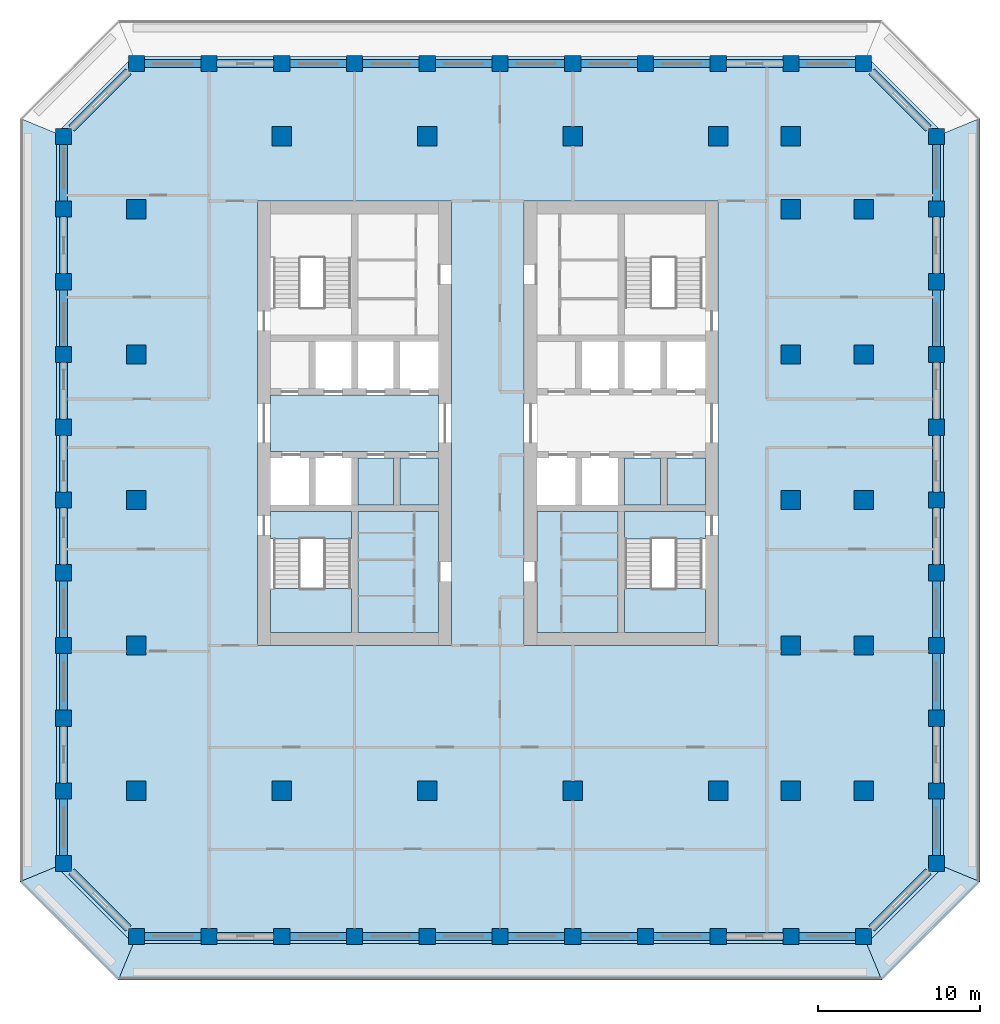
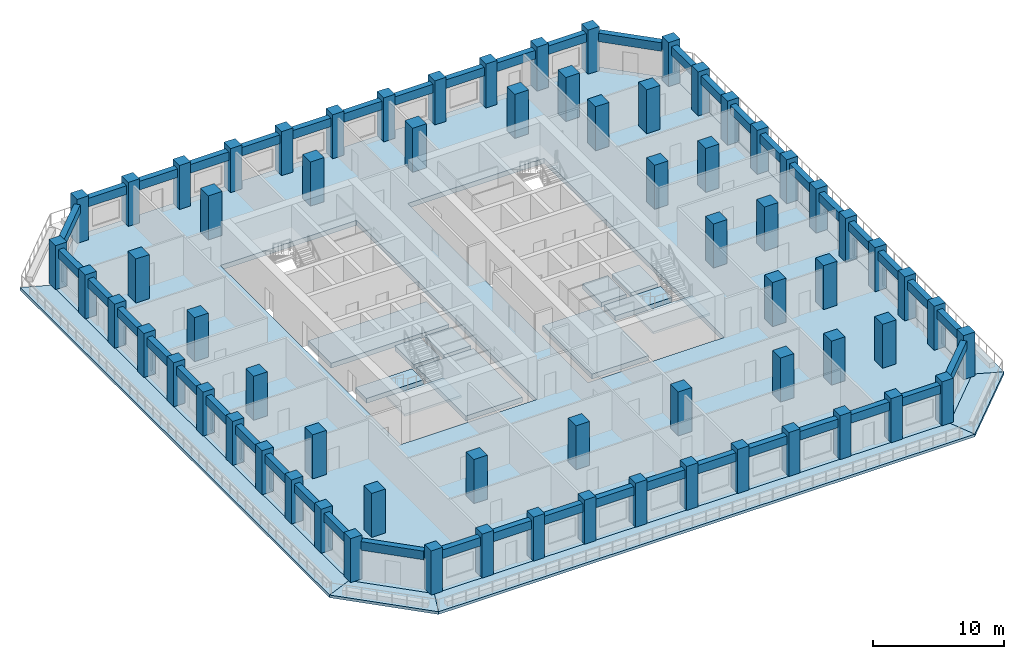
# One storey, part 1 of 16: 68 columns, 44 beams, 17 slabs, 2 elements without a shape of their own.
"""IFC4 building model written with IfcOpenShell, lengths in metres."""

from ifc_helpers import new_model, si_unit, direction, frame, origin, origin_2d, place, context, subcontext, project, spatial, polyline, rectangle, outline, extrude, material, layer, layer_set, material_profile, profile_set, type_object, element, aggregate, save


model = new_model("IFC4")

# Units and contexts
model_context = context("Model", 3, precision=1e-05, world=origin(), true_north=direction((0.0, 1.0)))
body_context = subcontext(model_context, "Body", "Model", "MODEL_VIEW")
ifc_project = project(units=[si_unit("LENGTHUNIT", "METRE"), si_unit("AREAUNIT", "SQUARE_METRE"), si_unit("VOLUMEUNIT", "CUBIC_METRE"), si_unit("PLANEANGLEUNIT", "RADIAN"), si_unit("MASSUNIT", "GRAM", prefix="KILO")], contexts=[model_context])

# Site, building, storey
site_placement = place(None, origin())
site = spatial("IfcSite", under=ifc_project, at=site_placement, CompositionType="ELEMENT")
building_placement = place(site_placement, origin())
building = spatial("IfcBuilding", under=site, at=building_placement, Name="Corbel Stack Research Tower", CompositionType="ELEMENT")
storey_placement = place(building_placement, frame((0.0, 0.0, 212.0)))
storey = spatial("IfcBuildingStorey", under=building, at=storey_placement, Name="L48", CompositionType="ELEMENT", Elevation=212.0)

# Columns
ifc_material_1 = material(Name="Concrete C60/75", Category="concrete")
ifc_material_profile_1 = material_profile(ifc_material_1, rectangle(XDim=1.0, YDim=1.0, at=origin_2d()), Name="RC 1000 x 1000")
ifc_profile_set_1 = profile_set([ifc_material_profile_1], Name="Concrete C60/75")
column_type_1 = type_object("IfcColumnType", Name="C-1000-60", PredefinedType="COLUMN", material=ifc_profile_set_1)
for number, where, z_axis, x_axis, name in (
    (1, (-22.5, -22.5, 0.0), (0.0, 0.0, 1.0), (1.0, 0.0, 0.0), "Column 3/C L48"),
    (2, (-22.5, -18.0, 0.0), (0.0, 0.0, 1.0), (1.0, 0.0, 0.0), "Column 3/D L48"),
    (3, (-22.5, -13.5, 0.0), (0.0, 0.0, 1.0), (1.0, 0.0, 0.0), "Column 3/E L48"),
    (4, (-22.5, -9.0, 0.0), (0.0, 0.0, 1.0), (1.0, 0.0, 0.0), "Column 3/F L48"),
    (5, (-22.5, -4.5, 0.0), (0.0, 0.0, 1.0), (1.0, 0.0, 0.0), "Column 3/G L48"),
    (6, (-22.5, 0.0, 0.0), (0.0, 0.0, 1.0), (1.0, 0.0, 0.0), "Column 3/H L48"),
    (7, (-22.5, 4.5, 0.0), (0.0, 0.0, 1.0), (1.0, 0.0, 0.0), "Column 3/J L48"),
    (8, (-22.5, 9.0, 0.0), (0.0, 0.0, 1.0), (1.0, 0.0, 0.0), "Column 3/K L48"),
    (9, (-22.5, 13.5, 0.0), (0.0, 0.0, 1.0), (1.0, 0.0, 0.0), "Column 3/L L48"),
    (10, (-22.5, 18.0, 0.0), (0.0, 0.0, 1.0), (1.0, 0.0, 0.0), "Column 3/M L48"),
    (11, (-22.5, 22.5, 0.0), (0.0, 0.0, 1.0), (1.0, 0.0, 0.0), "Column 3/N L48"),
    (12, (-18.0, -27.0, 0.0), (0.0, 0.0, 1.0), (1.0, 0.0, 0.0), "Column 4/B L48"),
    (13, (-18.0, 27.0, 0.0), (0.0, 0.0, 1.0), (1.0, 0.0, 0.0), "Column 4/P L48"),
    (14, (-13.5, -27.0, 0.0), (0.0, 0.0, 1.0), (1.0, 0.0, 0.0), "Column 5/B L48"),
    (15, (-13.5, 27.0, 0.0), (0.0, 0.0, 1.0), (1.0, 0.0, 0.0), "Column 5/P L48"),
    (16, (-9.0, -27.0, 0.0), (0.0, 0.0, 1.0), (1.0, 0.0, 0.0), "Column 6/B L48"),
    (17, (-9.0, 27.0, 0.0), (0.0, 0.0, 1.0), (1.0, 0.0, 0.0), "Column 6/P L48"),
    (18, (-4.5, -27.0, 0.0), (0.0, 0.0, 1.0), (1.0, 0.0, 0.0), "Column 7/B L48"),
    (19, (-4.5, 27.0, 0.0), (0.0, 0.0, 1.0), (1.0, 0.0, 0.0), "Column 7/P L48"),
    (20, (0.0, -27.0, 0.0), (0.0, 0.0, 1.0), (1.0, 0.0, 0.0), "Column 8/B L48"),
    (21, (0.0, 27.0, 0.0), (0.0, 0.0, 1.0), (1.0, 0.0, 0.0), "Column 8/P L48"),
    (22, (4.5, -27.0, 0.0), (0.0, 0.0, 1.0), (1.0, 0.0, 0.0), "Column 9/B L48"),
    (23, (4.5, 27.0, 0.0), (0.0, 0.0, 1.0), (1.0, 0.0, 0.0), "Column 9/P L48"),
    (24, (9.0, -27.0, 0.0), (0.0, 0.0, 1.0), (1.0, 0.0, 0.0), "Column 10/B L48"),
    (25, (9.0, 27.0, 0.0), (0.0, 0.0, 1.0), (1.0, 0.0, 0.0), "Column 10/P L48"),
    (26, (13.5, -27.0, 0.0), (0.0, 0.0, 1.0), (1.0, 0.0, 0.0), "Column 11/B L48"),
    (27, (13.5, 27.0, 0.0), (0.0, 0.0, 1.0), (1.0, 0.0, 0.0), "Column 11/P L48"),
    (28, (18.0, -27.0, 0.0), (0.0, 0.0, 1.0), (1.0, 0.0, 0.0), "Column 12/B L48"),
    (29, (18.0, 27.0, 0.0), (0.0, 0.0, 1.0), (1.0, 0.0, 0.0), "Column 12/P L48"),
    (30, (22.5, -27.0, 0.0), (0.0, 0.0, 1.0), (1.0, 0.0, 0.0), "Column 13/B L48"),
    (31, (22.5, 27.0, 0.0), (0.0, 0.0, 1.0), (1.0, 0.0, 0.0), "Column 13/P L48"),
    (32, (27.0, -27.0, 0.0), (0.0, 0.0, 1.0), (1.0, 0.0, 0.0), "Column 14/B L48"),
    (33, (27.0, 27.0, 0.0), (0.0, 0.0, 1.0), (1.0, 0.0, 0.0), "Column 14/P L48"),
    (34, (31.5, -22.5, 0.0), (0.0, 0.0, 1.0), (1.0, 0.0, 0.0), "Column 15/C L48"),
    (35, (31.5, -18.0, 0.0), (0.0, 0.0, 1.0), (1.0, 0.0, 0.0), "Column 15/D L48"),
    (36, (31.5, -13.5, 0.0), (0.0, 0.0, 1.0), (1.0, 0.0, 0.0), "Column 15/E L48"),
    (37, (31.5, -9.0, 0.0), (0.0, 0.0, 1.0), (1.0, 0.0, 0.0), "Column 15/F L48"),
    (38, (31.5, -4.5, 0.0), (0.0, 0.0, 1.0), (1.0, 0.0, 0.0), "Column 15/G L48"),
    (39, (31.5, 0.0, 0.0), (0.0, 0.0, 1.0), (1.0, 0.0, 0.0), "Column 15/H L48"),
    (40, (31.5, 4.5, 0.0), (0.0, 0.0, 1.0), (1.0, 0.0, 0.0), "Column 15/J L48"),
    (41, (31.5, 9.0, 0.0), (0.0, 0.0, 1.0), (1.0, 0.0, 0.0), "Column 15/K L48"),
    (42, (31.5, 13.5, 0.0), (0.0, 0.0, 1.0), (1.0, 0.0, 0.0), "Column 15/L L48"),
    (43, (31.5, 18.0, 0.0), (0.0, 0.0, 1.0), (1.0, 0.0, 0.0), "Column 15/M L48"),
    (44, (31.5, 22.5, 0.0), (0.0, 0.0, 1.0), (1.0, 0.0, 0.0), "Column 15/N L48"),
):
    element("IfcColumn", number, at=place(storey_placement, frame(where, z_axis=z_axis, x_axis=x_axis)), inside=storey, type_object=column_type_1, Name=name, PredefinedType="COLUMN", context=body_context, shape_type="SweptSolid", body=[
        extrude(rectangle(XDim=1.0, YDim=1.0, at=origin_2d()), origin(), (0.0, 0.0, 1.0), 4.10009765625),
    ])
ifc_material_2 = material(Name="Concrete C60/75", Category="concrete")
ifc_material_profile_2 = material_profile(ifc_material_2, rectangle(XDim=1.199951171875, YDim=1.199951171875, at=origin_2d()), Name="RC 1200 x 1200")
ifc_profile_set_2 = profile_set([ifc_material_profile_2], Name="Concrete C60/75")
column_type_2 = type_object("IfcColumnType", Name="C-1200-60", PredefinedType="COLUMN", material=ifc_profile_set_2)
for number, where, z_axis, x_axis, name in (
    (45, (-18.0, -18.0, 0.0), (0.0, 0.0, 1.0), (1.0, 0.0, 0.0), "Column 4/D L48"),
    (46, (-18.0, -9.0, 0.0), (0.0, 0.0, 1.0), (1.0, 0.0, 0.0), "Column 4/F L48"),
    (47, (-18.0, 0.0, 0.0), (0.0, 0.0, 1.0), (1.0, 0.0, 0.0), "Column 4/H L48"),
    (48, (-18.0, 9.0, 0.0), (0.0, 0.0, 1.0), (1.0, 0.0, 0.0), "Column 4/K L48"),
    (49, (-18.0, 18.0, 0.0), (0.0, 0.0, 1.0), (1.0, 0.0, 0.0), "Column 4/M L48"),
    (50, (-9.0, -18.0, 0.0), (0.0, 0.0, 1.0), (1.0, 0.0, 0.0), "Column 6/D L48"),
    (51, (-9.0, 22.5, 0.0), (0.0, 0.0, 1.0), (1.0, 0.0, 0.0), "Column 6/N L48"),
    (52, (0.0, -18.0, 0.0), (0.0, 0.0, 1.0), (1.0, 0.0, 0.0), "Column 8/D L48"),
    (53, (0.0, 22.5, 0.0), (0.0, 0.0, 1.0), (1.0, 0.0, 0.0), "Column 8/N L48"),
    (54, (9.0, -18.0, 0.0), (0.0, 0.0, 1.0), (1.0, 0.0, 0.0), "Column 10/D L48"),
    (55, (9.0, 22.5, 0.0), (0.0, 0.0, 1.0), (1.0, 0.0, 0.0), "Column 10/N L48"),
    (56, (18.0, -18.0, 0.0), (0.0, 0.0, 1.0), (1.0, 0.0, 0.0), "Column 12/D L48"),
    (57, (18.0, 22.5, 0.0), (0.0, 0.0, 1.0), (1.0, 0.0, 0.0), "Column 12/N L48"),
    (58, (22.5, -18.0, 0.0), (0.0, 0.0, 1.0), (1.0, 0.0, 0.0), "Column 13/D L48"),
    (59, (22.5, -9.0, 0.0), (0.0, 0.0, 1.0), (1.0, 0.0, 0.0), "Column 13/F L48"),
    (60, (22.5, 0.0, 0.0), (0.0, 0.0, 1.0), (1.0, 0.0, 0.0), "Column 13/H L48"),
    (61, (22.5, 9.0, 0.0), (0.0, 0.0, 1.0), (1.0, 0.0, 0.0), "Column 13/K L48"),
    (62, (22.5, 18.0, 0.0), (0.0, 0.0, 1.0), (1.0, 0.0, 0.0), "Column 13/M L48"),
    (63, (22.5, 22.5, 0.0), (0.0, 0.0, 1.0), (1.0, 0.0, 0.0), "Column 13/N L48"),
    (64, (27.0, -18.0, 0.0), (0.0, 0.0, 1.0), (1.0, 0.0, 0.0), "Column 14/D L48"),
    (65, (27.0, -9.0, 0.0), (0.0, 0.0, 1.0), (1.0, 0.0, 0.0), "Column 14/F L48"),
    (66, (27.0, 0.0, 0.0), (0.0, 0.0, 1.0), (1.0, 0.0, 0.0), "Column 14/H L48"),
    (67, (27.0, 9.0, 0.0), (0.0, 0.0, 1.0), (1.0, 0.0, 0.0), "Column 14/K L48"),
    (68, (27.0, 18.0, 0.0), (0.0, 0.0, 1.0), (1.0, 0.0, 0.0), "Column 14/M L48"),
):
    element("IfcColumn", number, at=place(storey_placement, frame(where, z_axis=z_axis, x_axis=x_axis)), inside=storey, type_object=column_type_2, Name=name, PredefinedType="COLUMN", context=body_context, shape_type="SweptSolid", body=[
        extrude(rectangle(XDim=1.199951171875, YDim=1.199951171875, at=origin_2d()), origin(), (0.0, 0.0, 1.0), 4.10009765625),
    ])

# Beams
ifc_material_3 = material(Name="Concrete C60/75", Category="concrete")
ifc_material_profile_3 = material_profile(ifc_material_3, rectangle(XDim=0.5, YDim=0.800048828125, at=origin_2d()), Name="RC 500 x 800")
ifc_profile_set_3 = profile_set([ifc_material_profile_3], Name="Concrete C60/75")
beam_type = type_object("IfcBeamType", Name="SB-500-800-450", PredefinedType="SPANDREL", material=ifc_profile_set_3)
for number, where, z_axis, x_axis, name in (
    (69, (-17.5, -27.0, 3.25), (1.0, 0.0, 0.0), (0.0, 1.0, 0.0), "Spandrel beam L48-01"),
    (70, (-13.0, -27.0, 3.25), (1.0, 0.0, 0.0), (0.0, 1.0, 0.0), "Spandrel beam L48-02"),
    (71, (-8.5, -27.0, 3.25), (1.0, 0.0, 0.0), (0.0, 1.0, 0.0), "Spandrel beam L48-03"),
    (72, (-4.0, -27.0, 3.25), (1.0, 0.0, 0.0), (0.0, 1.0, 0.0), "Spandrel beam L48-04"),
    (73, (0.5, -27.0, 3.25), (1.0, 0.0, 0.0), (0.0, 1.0, 0.0), "Spandrel beam L48-05"),
    (74, (5.0, -27.0, 3.25), (1.0, 0.0, 0.0), (0.0, 1.0, 0.0), "Spandrel beam L48-06"),
    (75, (9.5, -27.0, 3.25), (1.0, 0.0, 0.0), (0.0, 1.0, 0.0), "Spandrel beam L48-07"),
    (76, (14.0, -27.0, 3.25), (1.0, 0.0, 0.0), (0.0, 1.0, 0.0), "Spandrel beam L48-08"),
    (77, (18.5, -27.0, 3.25), (1.0, 0.0, 0.0), (0.0, 1.0, 0.0), "Spandrel beam L48-09"),
    (78, (23.0, -27.0, 3.25), (1.0, 0.0, 0.0), (0.0, 1.0, 0.0), "Spandrel beam L48-10"),
):
    element("IfcBeam", number, at=place(storey_placement, frame(where, z_axis=z_axis, x_axis=x_axis)), inside=storey, type_object=beam_type, Name=name, PredefinedType="SPANDREL", context=body_context, shape_type="SweptSolid", body=[
        extrude(rectangle(XDim=0.5, YDim=0.800048828125, at=origin_2d()), origin(), (0.0, 0.0, 1.0), 3.5),
    ])
beam_1_placement = place(storey_placement, frame((27.5, -26.5, 3.25), z_axis=(0.707106781187, 0.707106781187, 0.0), x_axis=(-0.707106781187, 0.707106781187, 0.0)))
element("IfcBeam", 79, at=beam_1_placement, inside=storey, type_object=beam_type, Name="Spandrel beam L48-11", PredefinedType="SPANDREL", context=body_context, shape_type="SweptSolid", body=[
    extrude(rectangle(XDim=0.5, YDim=0.800048828125, at=origin_2d()), origin(), (0.0, 0.0, 1.0), 4.94970703125),
])
for number, where, z_axis, x_axis, name in (
    (80, (31.5, -22.0, 3.25), (0.0, 1.0, 0.0), (-1.0, 0.0, 0.0), "Spandrel beam L48-12"),
    (81, (31.5, -17.5, 3.25), (0.0, 1.0, 0.0), (-1.0, 0.0, 0.0), "Spandrel beam L48-13"),
    (82, (31.5, -13.0, 3.25), (0.0, 1.0, 0.0), (-1.0, 0.0, 0.0), "Spandrel beam L48-14"),
    (83, (31.5, -8.5, 3.25), (0.0, 1.0, 0.0), (-1.0, 0.0, 0.0), "Spandrel beam L48-15"),
    (84, (31.5, -4.0, 3.25), (0.0, 1.0, 0.0), (-1.0, 0.0, 0.0), "Spandrel beam L48-16"),
    (85, (31.5, 0.5, 3.25), (0.0, 1.0, 0.0), (-1.0, 0.0, 0.0), "Spandrel beam L48-17"),
    (86, (31.5, 5.0, 3.25), (0.0, 1.0, 0.0), (-1.0, 0.0, 0.0), "Spandrel beam L48-18"),
    (87, (31.5, 9.5, 3.25), (0.0, 1.0, 0.0), (-1.0, 0.0, 0.0), "Spandrel beam L48-19"),
    (88, (31.5, 14.0, 3.25), (0.0, 1.0, 0.0), (-1.0, 0.0, 0.0), "Spandrel beam L48-20"),
    (89, (31.5, 18.5, 3.25), (0.0, 1.0, 0.0), (-1.0, 0.0, 0.0), "Spandrel beam L48-21"),
):
    element("IfcBeam", number, at=place(storey_placement, frame(where, z_axis=z_axis, x_axis=x_axis)), inside=storey, type_object=beam_type, Name=name, PredefinedType="SPANDREL", context=body_context, shape_type="SweptSolid", body=[
        extrude(rectangle(XDim=0.5, YDim=0.800048828125, at=origin_2d()), origin(), (0.0, 0.0, 1.0), 3.5),
    ])
beam_2_placement = place(storey_placement, frame((31.0, 23.0, 3.25), z_axis=(-0.707106781187, 0.707106781187, 0.0), x_axis=(-0.707106781187, -0.707106781187, 0.0)))
element("IfcBeam", 90, at=beam_2_placement, inside=storey, type_object=beam_type, Name="Spandrel beam L48-22", PredefinedType="SPANDREL", context=body_context, shape_type="SweptSolid", body=[
    extrude(rectangle(XDim=0.5, YDim=0.800048828125, at=origin_2d()), origin(), (0.0, 0.0, 1.0), 4.94970703125),
])
for number, where, z_axis, x_axis, name in (
    (91, (26.5, 27.0, 3.25), (-1.0, 0.0, 0.0), (0.0, -1.0, 0.0), "Spandrel beam L48-23"),
    (92, (22.0, 27.0, 3.25), (-1.0, 0.0, 0.0), (0.0, -1.0, 0.0), "Spandrel beam L48-24"),
    (93, (17.5, 27.0, 3.25), (-1.0, 0.0, 0.0), (0.0, -1.0, 0.0), "Spandrel beam L48-25"),
    (94, (13.0, 27.0, 3.25), (-1.0, 0.0, 0.0), (0.0, -1.0, 0.0), "Spandrel beam L48-26"),
    (95, (8.5, 27.0, 3.25), (-1.0, 0.0, 0.0), (0.0, -1.0, 0.0), "Spandrel beam L48-27"),
    (96, (4.0, 27.0, 3.25), (-1.0, 0.0, 0.0), (0.0, -1.0, 0.0), "Spandrel beam L48-28"),
    (97, (-0.5, 27.0, 3.25), (-1.0, 0.0, 0.0), (0.0, -1.0, 0.0), "Spandrel beam L48-29"),
    (98, (-5.0, 27.0, 3.25), (-1.0, 0.0, 0.0), (0.0, -1.0, 0.0), "Spandrel beam L48-30"),
    (99, (-9.5, 27.0, 3.25), (-1.0, 0.0, 0.0), (0.0, -1.0, 0.0), "Spandrel beam L48-31"),
    (100, (-14.0, 27.0, 3.25), (-1.0, 0.0, 0.0), (0.0, -1.0, 0.0), "Spandrel beam L48-32"),
):
    element("IfcBeam", number, at=place(storey_placement, frame(where, z_axis=z_axis, x_axis=x_axis)), inside=storey, type_object=beam_type, Name=name, PredefinedType="SPANDREL", context=body_context, shape_type="SweptSolid", body=[
        extrude(rectangle(XDim=0.5, YDim=0.800048828125, at=origin_2d()), origin(), (0.0, 0.0, 1.0), 3.5),
    ])
beam_3_placement = place(storey_placement, frame((-18.5, 26.5, 3.25), z_axis=(-0.707106781187, -0.707106781187, 0.0), x_axis=(0.707106781187, -0.707106781187, 0.0)))
element("IfcBeam", 101, at=beam_3_placement, inside=storey, type_object=beam_type, Name="Spandrel beam L48-33", PredefinedType="SPANDREL", context=body_context, shape_type="SweptSolid", body=[
    extrude(rectangle(XDim=0.5, YDim=0.800048828125, at=origin_2d()), origin(), (0.0, 0.0, 1.0), 4.94970703125),
])
for number, where, z_axis, x_axis, name in (
    (102, (-22.5, 22.0, 3.25), (0.0, -1.0, 0.0), (1.0, 0.0, 0.0), "Spandrel beam L48-34"),
    (103, (-22.5, 17.5, 3.25), (0.0, -1.0, 0.0), (1.0, 0.0, 0.0), "Spandrel beam L48-35"),
    (104, (-22.5, 13.0, 3.25), (0.0, -1.0, 0.0), (1.0, 0.0, 0.0), "Spandrel beam L48-36"),
    (105, (-22.5, 8.5, 3.25), (0.0, -1.0, 0.0), (1.0, 0.0, 0.0), "Spandrel beam L48-37"),
    (106, (-22.5, 4.0, 3.25), (0.0, -1.0, 0.0), (1.0, 0.0, 0.0), "Spandrel beam L48-38"),
    (107, (-22.5, -0.5, 3.25), (0.0, -1.0, 0.0), (1.0, 0.0, 0.0), "Spandrel beam L48-39"),
    (108, (-22.5, -5.0, 3.25), (0.0, -1.0, 0.0), (1.0, 0.0, 0.0), "Spandrel beam L48-40"),
    (109, (-22.5, -9.5, 3.25), (0.0, -1.0, 0.0), (1.0, 0.0, 0.0), "Spandrel beam L48-41"),
    (110, (-22.5, -14.0, 3.25), (0.0, -1.0, 0.0), (1.0, 0.0, 0.0), "Spandrel beam L48-42"),
    (111, (-22.5, -18.5, 3.25), (0.0, -1.0, 0.0), (1.0, 0.0, 0.0), "Spandrel beam L48-43"),
):
    element("IfcBeam", number, at=place(storey_placement, frame(where, z_axis=z_axis, x_axis=x_axis)), inside=storey, type_object=beam_type, Name=name, PredefinedType="SPANDREL", context=body_context, shape_type="SweptSolid", body=[
        extrude(rectangle(XDim=0.5, YDim=0.800048828125, at=origin_2d()), origin(), (0.0, 0.0, 1.0), 3.5),
    ])
beam_4_placement = place(storey_placement, frame((-22.0, -23.0, 3.25), z_axis=(0.707106781187, -0.707106781187, 0.0), x_axis=(0.707106781187, 0.707106781187, 0.0)))
element("IfcBeam", 112, at=beam_4_placement, inside=storey, type_object=beam_type, Name="Spandrel beam L48-44", PredefinedType="SPANDREL", context=body_context, shape_type="SweptSolid", body=[
    extrude(rectangle(XDim=0.5, YDim=0.800048828125, at=origin_2d()), origin(), (0.0, 0.0, 1.0), 4.94970703125),
])

# Slabs
ifc_material_4 = material(Name="Concrete C45/55", Category="concrete")
ifc_layer_1 = layer(ifc_material_4, 0.25)
ifc_layer_set_1 = layer_set([ifc_layer_1], Name="Concrete C45/55")
slab_type_1 = type_object("IfcSlabType", Name="PT balcony slab 250 C45/55", PredefinedType="FLOOR", material=ifc_layer_set_1)
slab_1_placement = place(storey_placement, frame((0.0, 0.0, -0.25)))
element("IfcSlab", 113, at=slab_1_placement, inside=storey, type_object=slab_type_1, Name="Loggia slab L48 S", PredefinedType="FLOOR", context=body_context, shape_type="SweptSolid", body=[
    extrude(outline(polyline([(27.20703125, -27.5), (26.5, -27.5), (26.5, -27.449951171875), (23.0, -27.449951171875), (23.0, -27.5), (22.0, -27.5), (22.0, -27.449951171875), (18.5, -27.449951171875), (18.5, -27.5), (17.5, -27.5), (17.5, -27.449951171875), (14.0, -27.449951171875), (14.0, -27.5), (13.0, -27.5), (13.0, -27.449951171875), (9.5, -27.449951171875), (9.5, -27.5), (8.5, -27.5), (8.5, -27.449951171875), (5.0, -27.449951171875), (5.0, -27.5), (4.0, -27.5), (4.0, -27.449951171875), (0.5, -27.449951171875), (0.5, -27.5), (-0.5, -27.5), (-0.5, -27.449951171875), (-4.0, -27.449951171875), (-4.0, -27.5), (-5.0, -27.5), (-5.0, -27.449951171875), (-8.5, -27.449951171875), (-8.5, -27.5), (-9.5, -27.5), (-9.5, -27.449951171875), (-13.0, -27.449951171875), (-13.0, -27.5), (-14.0, -27.5), (-14.0, -27.449951171875), (-17.5, -27.449951171875), (-17.5, -27.5), (-18.20703125, -27.5), (-19.118408203125, -29.699951171875), (28.118408203125, -29.699951171875), (27.20703125, -27.5)])), origin(), (0.0, 0.0, 1.0), 0.25),
])
slab_2_placement = place(storey_placement, frame((0.0, 0.0, -0.25)))
element("IfcSlab", 114, at=slab_2_placement, inside=storey, type_object=slab_type_1, Name="Loggia slab L48 SE", PredefinedType="FLOOR", context=body_context, shape_type="SweptSolid", body=[
    extrude(outline(polyline([(32.0, -22.70703125), (32.0, -23.0), (31.636474609375, -23.0), (27.5, -27.136474609375), (27.5, -27.5), (27.20703125, -27.5), (28.118408203125, -29.699951171875), (34.199951171875, -23.618408203125), (32.0, -22.70703125)])), origin(), (0.0, 0.0, 1.0), 0.25),
])
slab_3_placement = place(storey_placement, frame((0.0, 0.0, -0.25)))
element("IfcSlab", 115, at=slab_3_placement, inside=storey, type_object=slab_type_1, Name="Loggia slab L48 E", PredefinedType="FLOOR", context=body_context, shape_type="SweptSolid", body=[
    extrude(outline(polyline([(32.0, 22.70703125), (32.0, 22.0), (31.949951171875, 22.0), (31.949951171875, 18.5), (32.0, 18.5), (32.0, 17.5), (31.949951171875, 17.5), (31.949951171875, 14.0), (32.0, 14.0), (32.0, 13.0), (31.949951171875, 13.0), (31.949951171875, 9.5), (32.0, 9.5), (32.0, 8.5), (31.949951171875, 8.5), (31.949951171875, 5.0), (32.0, 5.0), (32.0, 4.0), (31.949951171875, 4.0), (31.949951171875, 0.5), (32.0, 0.5), (32.0, -0.5), (31.949951171875, -0.5), (31.949951171875, -4.0), (32.0, -4.0), (32.0, -5.0), (31.949951171875, -5.0), (31.949951171875, -8.5), (32.0, -8.5), (32.0, -9.5), (31.949951171875, -9.5), (31.949951171875, -13.0), (32.0, -13.0), (32.0, -14.0), (31.949951171875, -14.0), (31.949951171875, -17.5), (32.0, -17.5), (32.0, -18.5), (31.949951171875, -18.5), (31.949951171875, -22.0), (32.0, -22.0), (32.0, -22.70703125), (34.199951171875, -23.618408203125), (34.199951171875, 23.618408203125), (32.0, 22.70703125)])), origin(), (0.0, 0.0, 1.0), 0.25),
])
slab_4_placement = place(storey_placement, frame((0.0, 0.0, -0.25)))
element("IfcSlab", 116, at=slab_4_placement, inside=storey, type_object=slab_type_1, Name="Loggia slab L48 W", PredefinedType="FLOOR", context=body_context, shape_type="SweptSolid", body=[
    extrude(outline(polyline([(-23.0, -22.70703125), (-23.0, -22.0), (-22.949951171875, -22.0), (-22.949951171875, -18.5), (-23.0, -18.5), (-23.0, -17.5), (-22.949951171875, -17.5), (-22.949951171875, -14.0), (-23.0, -14.0), (-23.0, -13.0), (-22.949951171875, -13.0), (-22.949951171875, -9.5), (-23.0, -9.5), (-23.0, -8.5), (-22.949951171875, -8.5), (-22.949951171875, -5.0), (-23.0, -5.0), (-23.0, -4.0), (-22.949951171875, -4.0), (-22.949951171875, -0.5), (-23.0, -0.5), (-23.0, 0.5), (-22.949951171875, 0.5), (-22.949951171875, 4.0), (-23.0, 4.0), (-23.0, 5.0), (-22.949951171875, 5.0), (-22.949951171875, 8.5), (-23.0, 8.5), (-23.0, 9.5), (-22.949951171875, 9.5), (-22.949951171875, 13.0), (-23.0, 13.0), (-23.0, 14.0), (-22.949951171875, 14.0), (-22.949951171875, 17.5), (-23.0, 17.5), (-23.0, 18.5), (-22.949951171875, 18.5), (-22.949951171875, 22.0), (-23.0, 22.0), (-23.0, 22.70703125), (-25.199951171875, 23.618408203125), (-25.199951171875, -23.618408203125), (-23.0, -22.70703125)])), origin(), (0.0, 0.0, 1.0), 0.25),
])
slab_5_placement = place(storey_placement, frame((0.0, 0.0, -0.25)))
element("IfcSlab", 117, at=slab_5_placement, inside=storey, type_object=slab_type_1, Name="Loggia slab L48 SW", PredefinedType="FLOOR", context=body_context, shape_type="SweptSolid", body=[
    extrude(outline(polyline([(-18.20703125, -27.5), (-18.5, -27.5), (-18.5, -27.136474609375), (-22.636474609375, -23.0), (-23.0, -23.0), (-23.0, -22.70703125), (-25.199951171875, -23.618408203125), (-19.118408203125, -29.699951171875), (-18.20703125, -27.5)])), origin(), (0.0, 0.0, 1.0), 0.25),
])
ifc_material_5 = material(Name="Concrete C45/55", Category="concrete")
ifc_layer_2 = layer(ifc_material_5, 0.449951171875)
ifc_layer_set_2 = layer_set([ifc_layer_2], Name="Concrete C45/55")
slab_type_2 = type_object("IfcSlabType", Name="PT-450", PredefinedType="FLOOR", material=ifc_layer_set_2)
slab_6_placement = place(storey_placement, frame((0.0, 0.0, -0.449951171875)))
element("IfcSlab", 118, at=slab_6_placement, inside=storey, type_object=slab_type_2, Name="Floor slab L48", PredefinedType="FLOOR", context=body_context, shape_type="SweptSolid", body=[
    extrude(outline(polyline([(-18.186279296875, -27.449951171875), (27.186279296875, -27.449951171875), (31.949951171875, -22.686279296875), (31.949951171875, 22.686279296875), (27.186279296875, 27.449951171875), (-18.186279296875, 27.449951171875), (-22.949951171875, 22.686279296875), (-22.949951171875, -22.686279296875), (-18.186279296875, -27.449951171875)]), holes=[polyline([(26.39990234375, 17.39990234375), (26.39990234375, 18.60009765625), (27.60009765625, 18.60009765625), (27.60009765625, 17.39990234375), (26.39990234375, 17.39990234375)]), polyline([(26.39990234375, 8.39990234375), (26.39990234375, 9.60009765625), (27.60009765625, 9.60009765625), (27.60009765625, 8.39990234375), (26.39990234375, 8.39990234375)]), polyline([(27.60009765625, -0.60009765625), (26.39990234375, -0.60009765625), (26.39990234375, 0.60009765625), (27.60009765625, 0.60009765625), (27.60009765625, -0.60009765625)]), polyline([(26.39990234375, -9.60009765625), (26.39990234375, -8.39990234375), (27.60009765625, -8.39990234375), (27.60009765625, -9.60009765625), (26.39990234375, -9.60009765625)]), polyline([(26.39990234375, -18.60009765625), (26.39990234375, -17.39990234375), (27.60009765625, -17.39990234375), (27.60009765625, -18.60009765625), (26.39990234375, -18.60009765625)]), polyline([(21.89990234375, 21.89990234375), (21.89990234375, 23.10009765625), (23.10009765625, 23.10009765625), (23.10009765625, 21.89990234375), (21.89990234375, 21.89990234375)]), polyline([(21.89990234375, 17.39990234375), (21.89990234375, 18.60009765625), (23.10009765625, 18.60009765625), (23.10009765625, 17.39990234375), (21.89990234375, 17.39990234375)]), polyline([(21.89990234375, 8.39990234375), (21.89990234375, 9.60009765625), (23.10009765625, 9.60009765625), (23.10009765625, 8.39990234375), (21.89990234375, 8.39990234375)]), polyline([(21.89990234375, -0.60009765625), (21.89990234375, 0.60009765625), (23.10009765625, 0.60009765625), (23.10009765625, -0.60009765625), (21.89990234375, -0.60009765625)]), polyline([(23.10009765625, -9.60009765625), (21.89990234375, -9.60009765625), (21.89990234375, -8.39990234375), (23.10009765625, -8.39990234375), (23.10009765625, -9.60009765625)]), polyline([(21.89990234375, -18.60009765625), (21.89990234375, -17.39990234375), (23.10009765625, -17.39990234375), (23.10009765625, -18.60009765625), (21.89990234375, -18.60009765625)]), polyline([(17.39990234375, 21.89990234375), (17.39990234375, 23.10009765625), (18.60009765625, 23.10009765625), (18.60009765625, 21.89990234375), (17.39990234375, 21.89990234375)]), polyline([(18.60009765625, -18.60009765625), (17.39990234375, -18.60009765625), (17.39990234375, -17.39990234375), (18.60009765625, -17.39990234375), (18.60009765625, -18.60009765625)]), polyline([(6.0, -9.0), (6.0, 18.5), (18.0, 18.5), (18.0, -9.0), (6.0, -9.0)]), polyline([(8.39990234375, 21.89990234375), (8.39990234375, 23.10009765625), (9.60009765625, 23.10009765625), (9.60009765625, 21.89990234375), (8.39990234375, 21.89990234375)]), polyline([(9.60009765625, -18.60009765625), (8.39990234375, -18.60009765625), (8.39990234375, -17.39990234375), (9.60009765625, -17.39990234375), (9.60009765625, -18.60009765625)]), polyline([(1.5, -9.0), (-10.5, -9.0), (-10.5, 18.5), (1.5, 18.5), (1.5, -9.0)]), polyline([(-0.60009765625, 21.89990234375), (-0.60009765625, 23.10009765625), (0.60009765625, 23.10009765625), (0.60009765625, 21.89990234375), (-0.60009765625, 21.89990234375)]), polyline([(-0.60009765625, -18.60009765625), (-0.60009765625, -17.39990234375), (0.60009765625, -17.39990234375), (0.60009765625, -18.60009765625), (-0.60009765625, -18.60009765625)]), polyline([(-9.60009765625, 21.89990234375), (-9.60009765625, 23.10009765625), (-8.39990234375, 23.10009765625), (-8.39990234375, 21.89990234375), (-9.60009765625, 21.89990234375)]), polyline([(-9.60009765625, -18.60009765625), (-9.60009765625, -17.39990234375), (-8.39990234375, -17.39990234375), (-8.39990234375, -18.60009765625), (-9.60009765625, -18.60009765625)]), polyline([(-18.60009765625, 17.39990234375), (-18.60009765625, 18.60009765625), (-17.39990234375, 18.60009765625), (-17.39990234375, 17.39990234375), (-18.60009765625, 17.39990234375)]), polyline([(-18.60009765625, 8.39990234375), (-18.60009765625, 9.60009765625), (-17.39990234375, 9.60009765625), (-17.39990234375, 8.39990234375), (-18.60009765625, 8.39990234375)]), polyline([(-18.60009765625, -0.60009765625), (-18.60009765625, 0.60009765625), (-17.39990234375, 0.60009765625), (-17.39990234375, -0.60009765625), (-18.60009765625, -0.60009765625)]), polyline([(-18.60009765625, -9.60009765625), (-18.60009765625, -8.39990234375), (-17.39990234375, -8.39990234375), (-17.39990234375, -9.60009765625), (-18.60009765625, -9.60009765625)]), polyline([(-17.39990234375, -18.60009765625), (-18.60009765625, -18.60009765625), (-18.60009765625, -17.39990234375), (-17.39990234375, -17.39990234375), (-17.39990234375, -18.60009765625)])]), origin(), (0.0, 0.0, 1.0), 0.449951171875),
])
slab_7_placement = place(storey_placement, frame((0.0, 0.0, -0.449951171875)))
element("IfcSlab", 119, at=slab_7_placement, inside=storey, type_object=slab_type_2, Name="West core floor L48", PredefinedType="FLOOR", context=body_context, shape_type="SweptSolid", body=[
    extrude(outline(polyline([(0.699951171875, 6.5), (-9.699951171875, 6.5), (-9.699951171875, 3.0), (0.699951171875, 3.0), (0.699951171875, 6.5)])), origin(), (0.0, 0.0, 1.0), 0.449951171875),
])
slab_8_placement = place(storey_placement, frame((0.0, 0.0, -0.449951171875)))
element("IfcSlab", 120, at=slab_8_placement, inside=storey, type_object=slab_type_2, Name="West core floor L48", PredefinedType="FLOOR", context=body_context, shape_type="SweptSolid", body=[
    extrude(outline(polyline([(-4.300048828125, -0.699951171875), (-4.300048828125, -8.199951171875), (0.699951171875, -8.199951171875), (0.699951171875, -0.699951171875), (-4.300048828125, -0.699951171875)])), origin(), (0.0, 0.0, 1.0), 0.449951171875),
])
slab_9_placement = place(storey_placement, frame((0.0, 0.0, -0.449951171875)))
element("IfcSlab", 121, at=slab_9_placement, inside=storey, type_object=slab_type_2, Name="West core floor L48", PredefinedType="FLOOR", context=body_context, shape_type="SweptSolid", body=[
    extrude(outline(polyline([(-2.074951171875, -0.300048828125), (-2.074951171875, 2.60009765625), (-4.300048828125, 2.60009765625), (-4.300048828125, -0.300048828125), (-2.074951171875, -0.300048828125)])), origin(), (0.0, 0.0, 1.0), 0.449951171875),
])
slab_10_placement = place(storey_placement, frame((0.0, 0.0, -0.449951171875)))
element("IfcSlab", 122, at=slab_10_placement, inside=storey, type_object=slab_type_2, Name="West core floor L48", PredefinedType="FLOOR", context=body_context, shape_type="SweptSolid", body=[
    extrude(outline(polyline([(0.699951171875, -0.300048828125), (0.699951171875, 2.60009765625), (-1.675048828125, 2.60009765625), (-1.675048828125, -0.300048828125), (0.699951171875, -0.300048828125)])), origin(), (0.0, 0.0, 1.0), 0.449951171875),
])
slab_11_placement = place(storey_placement, frame((0.0, 0.0, -0.449951171875)))
element("IfcSlab", 123, at=slab_11_placement, inside=storey, type_object=slab_type_2, Name="East core floor L48", PredefinedType="FLOOR", context=body_context, shape_type="SweptSolid", body=[
    extrude(outline(polyline([(6.800048828125, -0.699951171875), (6.800048828125, -8.199951171875), (11.800048828125, -8.199951171875), (11.800048828125, -0.699951171875), (6.800048828125, -0.699951171875)])), origin(), (0.0, 0.0, 1.0), 0.449951171875),
])
slab_12_placement = place(storey_placement, frame((0.0, 0.0, -0.449951171875)))
element("IfcSlab", 124, at=slab_12_placement, inside=storey, type_object=slab_type_2, Name="East core floor L48", PredefinedType="FLOOR", context=body_context, shape_type="SweptSolid", body=[
    extrude(outline(polyline([(14.425048828125, -0.300048828125), (14.425048828125, 2.60009765625), (12.199951171875, 2.60009765625), (12.199951171875, -0.300048828125), (14.425048828125, -0.300048828125)])), origin(), (0.0, 0.0, 1.0), 0.449951171875),
])
slab_13_placement = place(storey_placement, frame((0.0, 0.0, -0.449951171875)))
element("IfcSlab", 125, at=slab_13_placement, inside=storey, type_object=slab_type_2, Name="East core floor L48", PredefinedType="FLOOR", context=body_context, shape_type="SweptSolid", body=[
    extrude(outline(polyline([(17.199951171875, -0.300048828125), (17.199951171875, 2.60009765625), (14.824951171875, 2.60009765625), (14.824951171875, -0.300048828125), (17.199951171875, -0.300048828125)])), origin(), (0.0, 0.0, 1.0), 0.449951171875),
])
slab_14_placement = place(storey_placement, frame((0.0, 0.0, -0.449951171875)))
element("IfcSlab", 126, at=slab_14_placement, inside=storey, type_object=slab_type_2, Name="Stair floor landing ST-W1", PredefinedType="FLOOR", context=body_context, shape_type="SweptSolid", body=[
    extrude(outline(polyline([(-9.699951171875, -2.39990234375), (-4.699951171875, -2.39990234375), (-4.699951171875, -0.699951171875), (-9.699951171875, -0.699951171875), (-9.699951171875, -2.39990234375)])), origin(), (0.0, 0.0, 1.0), 0.449951171875),
])
slab_15_placement = place(storey_placement, frame((0.0, 0.0, -0.449951171875)))
element("IfcSlab", 127, at=slab_15_placement, inside=storey, type_object=slab_type_2, Name="Stair floor landing ST-E1", PredefinedType="FLOOR", context=body_context, shape_type="SweptSolid", body=[
    extrude(outline(polyline([(12.199951171875, -2.39990234375), (17.199951171875, -2.39990234375), (17.199951171875, -0.699951171875), (12.199951171875, -0.699951171875), (12.199951171875, -2.39990234375)])), origin(), (0.0, 0.0, 1.0), 0.449951171875),
])

# Stair, slab
ifc_material_6 = material(Name="Concrete C40/50", Category="concrete")
stair_type = type_object("IfcStairType", Name="Exit stair 24 risers", PredefinedType="HALF_TURN_STAIR", material=ifc_material_6)
stair_1_placement = place(storey_placement, origin())
stair_1 = element("IfcStair", 128, at=stair_1_placement, inside=storey, type_object=stair_type, Name="L48 Exit stair ST-W1", PredefinedType="HALF_TURN_STAIR")
ifc_material_7 = material(Name="Concrete C40/50", Category="concrete")
ifc_layer_3 = layer(ifc_material_7, 0.199951171875)
ifc_layer_set_3 = layer_set([ifc_layer_3], Name="Concrete C40/50")
slab_type_3 = type_object("IfcSlabType", Name="Stair landing 200 C40/50", PredefinedType="LANDING", material=ifc_layer_set_3)
slab_16_placement = place(storey_placement, frame((0.0, 0.0, 1.85009765625)))
slab_16 = element("IfcSlab", 129, at=slab_16_placement, type_object=slab_type_3, Name="ST-W1 landing 1", PredefinedType="LANDING", context=body_context, shape_type="SweptSolid", body=[
    extrude(outline(polyline([(-9.699951171875, -8.199951171875), (-9.699951171875, -5.47998046875), (-4.699951171875, -5.47998046875), (-4.699951171875, -8.199951171875), (-9.699951171875, -8.199951171875)])), origin(), (0.0, 0.0, 1.0), 0.199951171875),
])
aggregate(stair_1, [slab_16])

stair_2_placement = place(storey_placement, origin())
stair_2 = element("IfcStair", 130, at=stair_2_placement, inside=storey, type_object=stair_type, Name="L48 Exit stair ST-E1", PredefinedType="HALF_TURN_STAIR")
slab_17_placement = place(storey_placement, frame((0.0, 0.0, 1.85009765625)))
slab_17 = element("IfcSlab", 131, at=slab_17_placement, type_object=slab_type_3, Name="ST-E1 landing 1", PredefinedType="LANDING", context=body_context, shape_type="SweptSolid", body=[
    extrude(outline(polyline([(12.199951171875, -8.199951171875), (12.199951171875, -5.47998046875), (17.199951171875, -5.47998046875), (17.199951171875, -8.199951171875), (12.199951171875, -8.199951171875)])), origin(), (0.0, 0.0, 1.0), 0.199951171875),
])
aggregate(stair_2, [slab_17])

save(model, "model.ifc")
